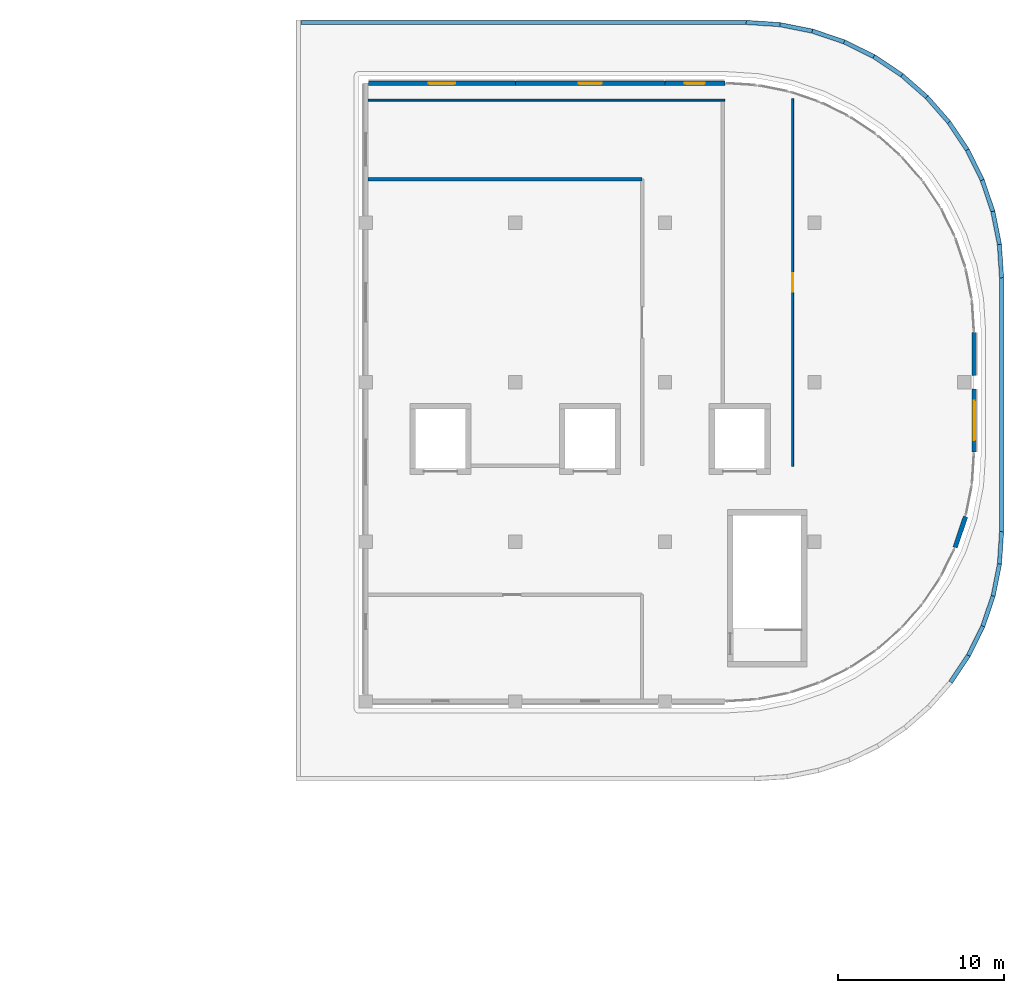
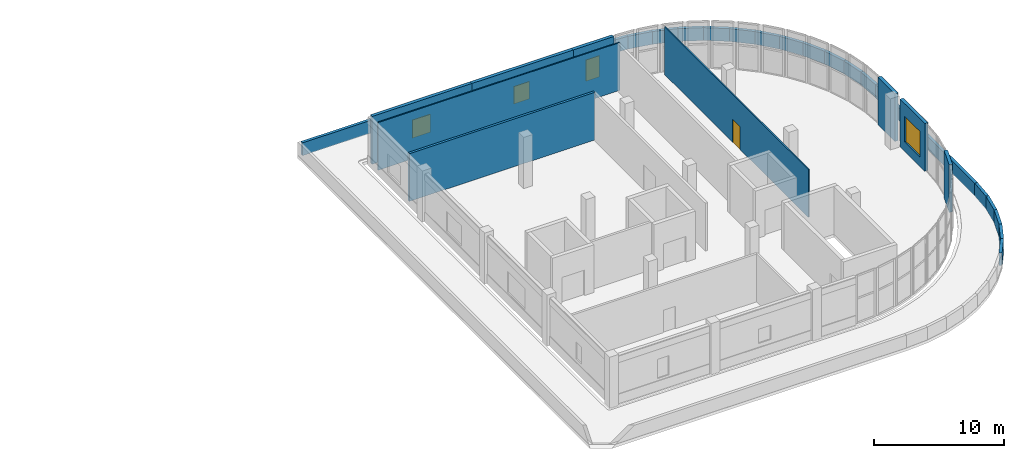
# One storey, part 25 of 33: 28 walls, 4 windows, 1 door, 5 openings.
"""IFC4 building model written with IfcOpenShell, lengths in metres."""

from ifc_helpers import new_model, si_unit, direction, frame, frame_2d, origin, place, context, subcontext, project, spatial, rectangle, extrude, material, layer, layer_set, type_object, element, fill, save


model = new_model("IFC4")

# Units and contexts
model_context = context("Model", 3, precision=1e-05, world=origin(), true_north=direction((0.0, 1.0)))
body_context = subcontext(model_context, "Body", "Model", "MODEL_VIEW")
ifc_project = project(units=[si_unit("LENGTHUNIT", "METRE"), si_unit("AREAUNIT", "SQUARE_METRE"), si_unit("VOLUMEUNIT", "CUBIC_METRE"), si_unit("PLANEANGLEUNIT", "RADIAN"), si_unit("MASSUNIT", "GRAM", prefix="KILO")], contexts=[model_context])

# Site, building, storey
site_placement = place(None, origin())
site = spatial("IfcSite", under=ifc_project, at=site_placement, CompositionType="ELEMENT")
building_placement = place(site_placement, origin())
building = spatial("IfcBuilding", under=site, at=building_placement, Name="Cendralis Terraced Arcade", CompositionType="ELEMENT")
storey_placement = place(building_placement, frame((0.0, 0.0, 19.800048828125)))
storey = spatial("IfcBuildingStorey", under=building, at=storey_placement, Name="L04", CompositionType="ELEMENT", Elevation=19.800048828125)

# Walls
ifc_material_1 = material(Name="Gypsum plasterboard acoustic partition", Category="concrete")
ifc_layer_1 = layer(ifc_material_1, 0.205078125, Name="WL-ACOU-205")
ifc_layer_set_1 = layer_set([ifc_layer_1], Name="Gypsum plasterboard acoustic partition")
wall_type_1 = type_object("IfcWallType", Name="WL-ACOU-205", PredefinedType="PARTITIONING", material=ifc_layer_set_1)
wall_1_placement = place(storey_placement, frame((130.340087890625, 101.02001953125, 0.0), z_axis=(0.0, 0.0, 1.0), x_axis=(1.0, 0.0, 0.0)))
element("IfcWall", 1, at=wall_1_placement, inside=storey, type_object=wall_type_1, Name="Interior Partition Wall IW-L04-0595", PredefinedType="PARTITIONING", context=body_context, shape_type="SweptSolid", body=[
    extrude(rectangle(XDim=16.47998046875, YDim=0.205078125, at=frame_2d((8.239990234375, 0.0))), origin(), (0.0, 0.0, 1.0), 4.47998046875),
])
ifc_material_2 = material(Name="Precast concrete f'c 40 MPa", Category="concrete")
ifc_layer_2 = layer(ifc_material_2, 0.280029296875, Name="WL-EXT-GRC-280")
ifc_layer_set_2 = layer_set([ifc_layer_2], Name="Precast concrete f'c 40 MPa")
wall_type_2 = type_object("IfcWallType", Name="WL-EXT-GRC-280", PredefinedType="SOLIDWALL", material=ifc_layer_set_2)
wall_2_placement = place(storey_placement, frame((166.800048828125, 91.800048828125, 0.0), z_axis=(0.0, 0.0, 1.0), x_axis=(0.0, -1.0, 0.0)))
element("IfcWall", 2, at=wall_2_placement, inside=storey, type_object=wall_type_2, Name="Exterior Architectural Wall EW-L04-0284", PredefinedType="SOLIDWALL", context=body_context, shape_type="SweptSolid", body=[
    extrude(rectangle(XDim=2.60205078125, YDim=0.280029296875, at=frame_2d((1.301025390625, 0.0))), origin(), (0.0, 0.0, 1.0), 4.47998046875),
])

# Wall, opening, window
wall_3_placement = place(storey_placement, frame((166.800048828125, 88.402099609375, 0.0), z_axis=(0.0, 0.0, 1.0), x_axis=(0.0, -1.0, 0.0)))
wall_3 = element("IfcWall", 3, at=wall_3_placement, inside=storey, type_object=wall_type_2, Name="Exterior Architectural Wall EW-L04-0285", PredefinedType="SOLIDWALL", context=body_context, shape_type="SweptSolid", body=[
    extrude(rectangle(XDim=3.802001953125, YDim=0.280029296875, at=frame_2d((1.90087890625, 0.0))), origin(), (0.0, 0.0, 1.0), 4.47998046875),
])
opening_1_placement = place(wall_3_placement, frame((0.700927734375, 0.0, 0.89990234375)))
opening_1 = element("IfcOpeningElement", 4, at=opening_1_placement, cuts=wall_3, Name="Opening W-01", PredefinedType="OPENING", context=body_context, shape_type="SweptSolid", body=[
    extrude(rectangle(XDim=2.39990234375, YDim=2.39990234375, at=frame_2d((1.199951171875, 1.199951171875))), frame((0.0, 0.15185546875, 0.0), z_axis=(0.0, -1.0, 0.0), x_axis=(1.0, 0.0, 0.0)), (0.0, 0.0, 1.0), 0.303955078125),
])
ifc_material_3 = material(Name="Tempered solar control laminated glass", Category="glass")
window_type_1 = type_object("IfcWindowType", Name="WN-F1-2400x2400", PartitioningType="SINGLE_PANEL", PredefinedType="WINDOW", material=ifc_material_3)
window_1_placement = place(opening_1_placement, origin())
window_1 = element("IfcWindow", 5, at=window_1_placement, inside=storey, type_object=window_type_1, Name="Exterior Solar-Control Window WN-L04-0191", OverallHeight=2.39990234375, OverallWidth=2.39990234375, PartitioningType="SINGLE_PANEL", PredefinedType="WINDOW", context=body_context, shape_type="SweptSolid", body=[
    extrude(rectangle(XDim=2.39990234375, YDim=2.39990234375, at=frame_2d((1.199951171875, 1.199951171875))), frame((0.0, 0.030029296875, 0.0), z_axis=(0.0, -1.0, 0.0), x_axis=(1.0, 0.0, 0.0)), (0.0, 0.0, 1.0), 0.06005859375),
])
fill(opening_1, window_1)

# Wall
wall_4_placement = place(storey_placement, frame((166.288818359375, 80.7177734375, 0.0), z_axis=(0.0, 0.0, 1.0), x_axis=(-0.321374047672, -0.946952333269, 0.0)))
element("IfcWall", 6, at=wall_4_placement, inside=storey, type_object=wall_type_2, Name="Exterior Architectural Wall EW-L04-0286", PredefinedType="SOLIDWALL", context=body_context, shape_type="SweptSolid", body=[
    extrude(rectangle(XDim=1.962158203125, YDim=0.280029296875, at=frame_2d((0.98095703125, 0.0))), origin(), (0.0, 0.0, 1.0), 4.47998046875),
])

# Wall, opening, window
wall_5_placement = place(storey_placement, frame((130.360107421875, 106.800048828125, 0.0), z_axis=(0.0, 0.0, 1.0), x_axis=(1.0, 0.0, 0.0)))
wall_5 = element("IfcWall", 7, at=wall_5_placement, inside=storey, type_object=wall_type_2, Name="Exterior Architectural Wall EW-L04-0294", PredefinedType="SOLIDWALL", context=body_context, shape_type="SweptSolid", body=[
    extrude(rectangle(XDim=8.83984375, YDim=0.280029296875, at=frame_2d((4.419921875, 0.0))), origin(), (0.0, 0.0, 1.0), 4.47998046875),
])
opening_2_placement = place(wall_5_placement, frame((3.6201171875, 0.0, 1.10009765625)))
opening_2 = element("IfcOpeningElement", 8, at=opening_2_placement, cuts=wall_5, Name="Opening W-28", PredefinedType="OPENING", context=body_context, shape_type="SweptSolid", body=[
    extrude(rectangle(XDim=1.60009765625, YDim=1.699951171875, at=frame_2d((0.800048828125, 0.85009765625))), frame((0.0, 0.15185546875, 0.0), z_axis=(0.0, -1.0, 0.0), x_axis=(1.0, 0.0, 0.0)), (0.0, 0.0, 1.0), 0.303955078125),
])
window_type_2 = type_object("IfcWindowType", Name="WN-F3-1600x1700", PartitioningType="SINGLE_PANEL", PredefinedType="WINDOW", material=ifc_material_3)
window_2_placement = place(opening_2_placement, origin())
window_2 = element("IfcWindow", 9, at=window_2_placement, inside=storey, type_object=window_type_2, Name="Exterior Solar-Control Window WN-L04-0198", OverallHeight=1.699951171875, OverallWidth=1.60009765625, PartitioningType="SINGLE_PANEL", PredefinedType="WINDOW", context=body_context, shape_type="SweptSolid", body=[
    extrude(rectangle(XDim=1.60009765625, YDim=1.699951171875, at=frame_2d((0.800048828125, 0.85009765625))), frame((0.0, 0.030029296875, 0.0), z_axis=(0.0, -1.0, 0.0), x_axis=(1.0, 0.0, 0.0)), (0.0, 0.0, 1.0), 0.06005859375),
])
fill(opening_2, window_2)

wall_6_placement = place(storey_placement, frame((139.199951171875, 106.800048828125, 0.0), z_axis=(0.0, 0.0, 1.0), x_axis=(1.0, 0.0, 0.0)))
wall_6 = element("IfcWall", 10, at=wall_6_placement, inside=storey, type_object=wall_type_2, Name="Exterior Architectural Wall EW-L04-0295", PredefinedType="SOLIDWALL", context=body_context, shape_type="SweptSolid", body=[
    extrude(rectangle(XDim=9.0, YDim=0.280029296875, at=frame_2d((4.5, 0.0))), origin(), (0.0, 0.0, 1.0), 4.47998046875),
])
opening_3_placement = place(wall_6_placement, frame((3.800048828125, 0.0, 1.14990234375)))
opening_3 = element("IfcOpeningElement", 11, at=opening_3_placement, cuts=wall_6, Name="Opening W-29", PredefinedType="OPENING", context=body_context, shape_type="SweptSolid", body=[
    extrude(rectangle(XDim=1.39990234375, YDim=1.64990234375, at=frame_2d((0.699951171875, 0.824951171875))), frame((0.0, 0.15185546875, 0.0), z_axis=(0.0, -1.0, 0.0), x_axis=(1.0, 0.0, 0.0)), (0.0, 0.0, 1.0), 0.303955078125),
])
window_type_3 = type_object("IfcWindowType", Name="WN-F3-1400x1650", PartitioningType="SINGLE_PANEL", PredefinedType="WINDOW", material=ifc_material_3)
window_3_placement = place(opening_3_placement, origin())
window_3 = element("IfcWindow", 12, at=window_3_placement, inside=storey, type_object=window_type_3, Name="Exterior Solar-Control Window WN-L04-0199", OverallHeight=1.64990234375, OverallWidth=1.39990234375, PartitioningType="SINGLE_PANEL", PredefinedType="WINDOW", context=body_context, shape_type="SweptSolid", body=[
    extrude(rectangle(XDim=1.39990234375, YDim=1.64990234375, at=frame_2d((0.699951171875, 0.824951171875))), frame((0.0, 0.030029296875, 0.0), z_axis=(0.0, -1.0, 0.0), x_axis=(1.0, 0.0, 0.0)), (0.0, 0.0, 1.0), 0.06005859375),
])
fill(opening_3, window_3)

wall_7_placement = place(storey_placement, frame((148.199951171875, 106.800048828125, 0.0), z_axis=(0.0, 0.0, 1.0), x_axis=(1.0, 0.0, 0.0)))
wall_7 = element("IfcWall", 13, at=wall_7_placement, inside=storey, type_object=wall_type_2, Name="Exterior Architectural Wall EW-L04-0296", PredefinedType="SOLIDWALL", context=body_context, shape_type="SweptSolid", body=[
    extrude(rectangle(XDim=3.60009765625, YDim=0.280029296875, at=frame_2d((1.800048828125, 0.0))), origin(), (0.0, 0.0, 1.0), 4.47998046875),
])
opening_4_placement = place(wall_7_placement, frame((1.199951171875, 0.0, 1.050048828125)))
opening_4 = element("IfcOpeningElement", 14, at=opening_4_placement, cuts=wall_7, Name="Opening W-07", PredefinedType="OPENING", context=body_context, shape_type="SweptSolid", body=[
    extrude(rectangle(XDim=1.199951171875, YDim=2.0, at=frame_2d((0.60009765625, 1.0))), frame((0.0, 0.15185546875, 0.0), z_axis=(0.0, -1.0, 0.0), x_axis=(1.0, 0.0, 0.0)), (0.0, 0.0, 1.0), 0.303955078125),
])
window_type_4 = type_object("IfcWindowType", Name="WN-F1-1200x2000", PartitioningType="SINGLE_PANEL", PredefinedType="WINDOW", material=ifc_material_3)
window_4_placement = place(opening_4_placement, origin())
window_4 = element("IfcWindow", 15, at=window_4_placement, inside=storey, type_object=window_type_4, Name="Exterior Solar-Control Window WN-L04-0200", OverallHeight=2.0, OverallWidth=1.199951171875, PartitioningType="SINGLE_PANEL", PredefinedType="WINDOW", context=body_context, shape_type="SweptSolid", body=[
    extrude(rectangle(XDim=1.199951171875, YDim=2.0, at=frame_2d((0.60009765625, 1.0))), frame((0.0, 0.030029296875, 0.0), z_axis=(0.0, -1.0, 0.0), x_axis=(1.0, 0.0, 0.0)), (0.0, 0.0, 1.0), 0.06005859375),
])
fill(opening_4, window_4)

# Walls
ifc_layer_3 = layer(ifc_material_2, 0.25, Name="WL-PAR-250")
ifc_layer_set_3 = layer_set([ifc_layer_3], Name="Precast concrete f'c 40 MPa")
wall_type_3 = type_object("IfcWallType", Name="WL-PAR-250", PredefinedType="PARAPET", material=ifc_layer_set_3)
wall_8_placement = place(storey_placement, frame((158.967529296875, 109.2900390625, 0.0), z_axis=(0.0, 0.0, 1.0), x_axis=(0.896870216232, -0.442293810985, 0.0)))
element("IfcWall", 16, at=wall_8_placement, inside=storey, type_object=wall_type_3, Name="Precast Concrete Roof Parapet Wall PAR-L04-382", PredefinedType="PARAPET", context=body_context, shape_type="SweptSolid", body=[
    extrude(rectangle(XDim=2.02734375, YDim=0.25, at=frame_2d((1.013671875, 0.0))), origin(), (0.0, 0.0, 1.0), 1.199951171875),
])
for number, where, z_axis, x_axis, name in (
    (17, (160.769287109375, 108.40283203125, 0.0), (0.0, 0.0, 1.0), (0.831457012987, -0.555589088765, 0.0), "Precast Concrete Roof Parapet Wall PAR-L04-383"),
    (18, (162.440185546875, 107.2880859375, 0.0), (0.0, 0.0, 1.0), (0.751830318908, -0.659356634584, 0.0), "Precast Concrete Roof Parapet Wall PAR-L04-384"),
    (19, (163.951171875, 105.964599609375, 0.0), (0.0, 0.0, 1.0), (0.659356634584, -0.751830318908, 0.0), "Precast Concrete Roof Parapet Wall PAR-L04-385"),
    (20, (165.2763671875, 104.455078125, 0.0), (0.0, 0.0, 1.0), (0.555589088765, -0.831457012987, 0.0), "Precast Concrete Roof Parapet Wall PAR-L04-386"),
):
    element("IfcWall", number, at=place(storey_placement, frame(where, z_axis=z_axis, x_axis=x_axis)), inside=storey, type_object=wall_type_3, Name=name, PredefinedType="PARAPET", context=body_context, shape_type="SweptSolid", body=[
        extrude(rectangle(XDim=2.027587890625, YDim=0.25, at=frame_2d((1.013671875, 0.0))), origin(), (0.0, 0.0, 1.0), 1.199951171875),
    ])
wall_9_placement = place(storey_placement, frame((166.393310546875, 102.785888671875, 0.0), z_axis=(0.0, 0.0, 1.0), x_axis=(0.442293810985, -0.896870216232, 0.0)))
element("IfcWall", 21, at=wall_9_placement, inside=storey, type_object=wall_type_3, Name="Precast Concrete Roof Parapet Wall PAR-L04-387", PredefinedType="PARAPET", context=body_context, shape_type="SweptSolid", body=[
    extrude(rectangle(XDim=2.02734375, YDim=0.25, at=frame_2d((1.013671875, 0.0))), origin(), (0.0, 0.0, 1.0), 1.199951171875),
])
for number, where, z_axis, x_axis, name in (
    (22, (167.28271484375, 100.985107421875, 0.0), (0.0, 0.0, 1.0), (0.321496873028, -0.946910640258, 0.0), "Precast Concrete Roof Parapet Wall PAR-L04-388"),
    (23, (167.9296875, 99.08349609375, 0.0), (0.0, 0.0, 1.0), (0.195073962632, -0.980788534345, 0.0), "Precast Concrete Roof Parapet Wall PAR-L04-389"),
    (24, (168.32275390625, 97.11376953125, 0.0), (0.0, 0.0, 1.0), (0.065384104298, -0.997860170016, 0.0), "Precast Concrete Roof Parapet Wall PAR-L04-390"),
):
    element("IfcWall", number, at=place(storey_placement, frame(where, z_axis=z_axis, x_axis=x_axis)), inside=storey, type_object=wall_type_3, Name=name, PredefinedType="PARAPET", context=body_context, shape_type="SweptSolid", body=[
        extrude(rectangle(XDim=2.027587890625, YDim=0.25, at=frame_2d((1.013671875, 0.0))), origin(), (0.0, 0.0, 1.0), 1.199951171875),
    ])
wall_10_placement = place(storey_placement, frame((168.455078125, 95.10009765625, 0.0), z_axis=(0.0, 0.0, 1.0), x_axis=(0.0, -1.0, 0.0)))
element("IfcWall", 25, at=wall_10_placement, inside=storey, type_object=wall_type_3, Name="Precast Concrete Roof Parapet Wall PAR-L04-391", PredefinedType="PARAPET", context=body_context, shape_type="SweptSolid", body=[
    extrude(rectangle(XDim=15.300048828125, YDim=0.25, at=frame_2d((7.64990234375, 0.0))), origin(), (0.0, 0.0, 1.0), 1.199951171875),
])
wall_11_placement = place(storey_placement, frame((168.455322265625, 79.8095703125, 0.0), z_axis=(0.0, 0.0, 1.0), x_axis=(-0.065445428286, -0.997856149912, 0.0)))
element("IfcWall", 26, at=wall_11_placement, inside=storey, type_object=wall_type_3, Name="Precast Concrete Roof Parapet Wall PAR-L04-392", PredefinedType="PARAPET", context=body_context, shape_type="SweptSolid", body=[
    extrude(rectangle(XDim=1.962158203125, YDim=0.25, at=frame_2d((0.98095703125, 0.0))), origin(), (0.0, 0.0, 1.0), 1.199951171875),
])
wall_12_placement = place(storey_placement, frame((168.32958984375, 77.870361328125, 0.0), z_axis=(0.0, 0.0, 1.0), x_axis=(-0.19511099609, -0.980781167848, 0.0)))
element("IfcWall", 27, at=wall_12_placement, inside=storey, type_object=wall_type_3, Name="Precast Concrete Roof Parapet Wall PAR-L04-393", PredefinedType="PARAPET", context=body_context, shape_type="SweptSolid", body=[
    extrude(rectangle(XDim=1.9619140625, YDim=0.25, at=frame_2d((0.98095703125, 0.0))), origin(), (0.0, 0.0, 1.0), 1.199951171875),
])
wall_13_placement = place(storey_placement, frame((167.95166015625, 75.96435546875, 0.0), z_axis=(0.0, 0.0, 1.0), x_axis=(-0.321485609747, -0.946914464313, 0.0)))
element("IfcWall", 28, at=wall_13_placement, inside=storey, type_object=wall_type_3, Name="Precast Concrete Roof Parapet Wall PAR-L04-394", PredefinedType="PARAPET", context=body_context, shape_type="SweptSolid", body=[
    extrude(rectangle(XDim=1.96240234375, YDim=0.25, at=frame_2d((0.981201171875, 0.0))), origin(), (0.0, 0.0, 1.0), 1.199951171875),
])
for number, where, z_axis, x_axis, name in (
    (29, (167.328125, 74.123779296875, 0.0), (0.0, 0.0, 1.0), (-0.44222941271, -0.89690197153, 0.0), "Precast Concrete Roof Parapet Wall PAR-L04-395"),
    (30, (166.4697265625, 72.380615234375, 0.0), (0.0, 0.0, 1.0), (-0.555590048032, -0.831456371993, 0.0), "Precast Concrete Roof Parapet Wall PAR-L04-396"),
):
    element("IfcWall", number, at=place(storey_placement, frame(where, z_axis=z_axis, x_axis=x_axis)), inside=storey, type_object=wall_type_3, Name=name, PredefinedType="PARAPET", context=body_context, shape_type="SweptSolid", body=[
        extrude(rectangle(XDim=1.962158203125, YDim=0.25, at=frame_2d((0.98095703125, 0.0))), origin(), (0.0, 0.0, 1.0), 1.199951171875),
    ])
wall_14_placement = place(storey_placement, frame((126.2900390625, 110.455078125, 0.0), z_axis=(0.0, 0.0, 1.0), x_axis=(1.0, 0.0, 0.0)))
element("IfcWall", 31, at=wall_14_placement, inside=storey, type_object=wall_type_3, Name="Precast Concrete Roof Parapet Wall PAR-L04-406", PredefinedType="PARAPET", context=body_context, shape_type="SweptSolid", body=[
    extrude(rectangle(XDim=26.81005859375, YDim=0.25, at=frame_2d((13.405029296875, 0.0))), origin(), (0.0, 0.0, 1.0), 1.199951171875),
])
for number, where, z_axis, x_axis, name in (
    (32, (153.090576171875, 110.455322265625, 0.0), (0.0, 0.0, 1.0), (0.997860170016, -0.065384104298, 0.0), "Precast Concrete Roof Parapet Wall PAR-L04-407"),
    (33, (155.094970703125, 110.3251953125, 0.0), (0.0, 0.0, 1.0), (0.980788534345, -0.195073962632, 0.0), "Precast Concrete Roof Parapet Wall PAR-L04-408"),
    (34, (157.065185546875, 109.9345703125, 0.0), (0.0, 0.0, 1.0), (0.946910640258, -0.321496873028, 0.0), "Precast Concrete Roof Parapet Wall PAR-L04-409"),
):
    element("IfcWall", number, at=place(storey_placement, frame(where, z_axis=z_axis, x_axis=x_axis)), inside=storey, type_object=wall_type_3, Name=name, PredefinedType="PARAPET", context=body_context, shape_type="SweptSolid", body=[
        extrude(rectangle(XDim=2.027587890625, YDim=0.25, at=frame_2d((1.013671875, 0.0))), origin(), (0.0, 0.0, 1.0), 1.199951171875),
    ])
ifc_layer_4 = layer(ifc_material_1, 0.10791015625, Name="WL-PART-108")
ifc_layer_set_4 = layer_set([ifc_layer_4], Name="Gypsum plasterboard acoustic partition")
wall_type_4 = type_object("IfcWallType", Name="WL-PART-108", PredefinedType="PARTITIONING", material=ifc_layer_set_4)
wall_15_placement = place(storey_placement, frame((151.7939453125, 105.780029296875, 0.0), z_axis=(0.0, 0.0, 1.0), x_axis=(-1.0, 0.0, 0.0)))
element("IfcWall", 35, at=wall_15_placement, inside=storey, type_object=wall_type_4, Name="Interior Partition Wall IW-L04-0592", PredefinedType="PARTITIONING", context=body_context, shape_type="SweptSolid", body=[
    extrude(rectangle(XDim=21.453857421875, YDim=0.10791015625, at=frame_2d((10.72705078125, 0.0))), origin(), (0.0, 0.0, 1.0), 4.47998046875),
])

# Wall, opening, door
ifc_layer_5 = layer(ifc_material_1, 0.112060546875, Name="WL-PART-112")
ifc_layer_set_5 = layer_set([ifc_layer_5], Name="Gypsum plasterboard acoustic partition")
wall_type_5 = type_object("IfcWallType", Name="WL-PART-112", PredefinedType="PARTITIONING", material=ifc_layer_set_5)
wall_16_placement = place(storey_placement, frame((155.8798828125, 105.86279296875, 0.0), z_axis=(0.0, 0.0, 1.0), x_axis=(0.0, -1.0, 0.0)))
wall_16 = element("IfcWall", 36, at=wall_16_placement, inside=storey, type_object=wall_type_5, Name="Interior Partition Wall IW-L04-0591", PredefinedType="PARTITIONING", context=body_context, shape_type="SweptSolid", body=[
    extrude(rectangle(XDim=22.123291015625, YDim=0.112060546875, at=frame_2d((11.0615234375, 0.0))), origin(), (0.0, 0.0, 1.0), 4.47998046875),
])
opening_5_placement = place(wall_16_placement, frame((10.51171875, 0.0, 0.0)))
opening_5 = element("IfcOpeningElement", 37, at=opening_5_placement, cuts=wall_16, Name="Opening D-L04-160", PredefinedType="OPENING", context=body_context, shape_type="SweptSolid", body=[
    extrude(rectangle(XDim=1.10009765625, YDim=2.14990234375, at=frame_2d((0.550048828125, 1.074951171875))), frame((0.0, 0.06787109375, 0.0), z_axis=(0.0, -1.0, 0.0), x_axis=(1.0, 0.0, 0.0)), (0.0, 0.0, 1.0), 0.135986328125),
])
ifc_material_4 = material(Name="Solid core Andean oak veneer door leaf", Category="aluminium")
door_type = type_object("IfcDoorType", Name="ID-RM-1100x2150", OperationType="NOTDEFINED", PredefinedType="DOOR", material=ifc_material_4)
door_placement = place(opening_5_placement, origin())
door = element("IfcDoor", 38, at=door_placement, inside=storey, type_object=door_type, Name="Buying and Store Management Offices - Executive Door D-L04-160", OperationType="SINGLE_SWING_RIGHT", OverallHeight=2.14990234375, OverallWidth=1.10009765625, PredefinedType="DOOR", context=body_context, shape_type="SweptSolid", body=[
    extrude(rectangle(XDim=1.10009765625, YDim=2.14990234375, at=frame_2d((0.550048828125, 1.074951171875))), frame((0.0, 0.02490234375, 0.0), z_axis=(0.0, -1.0, 0.0), x_axis=(1.0, 0.0, 0.0)), (0.0, 0.0, 1.0), 0.050048828125),
])
fill(opening_5, door)

save(model, "model.ifc")
